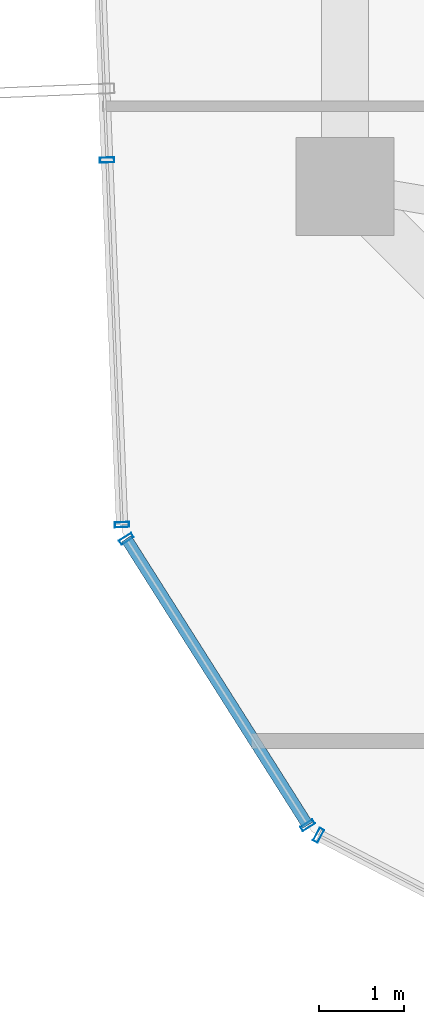
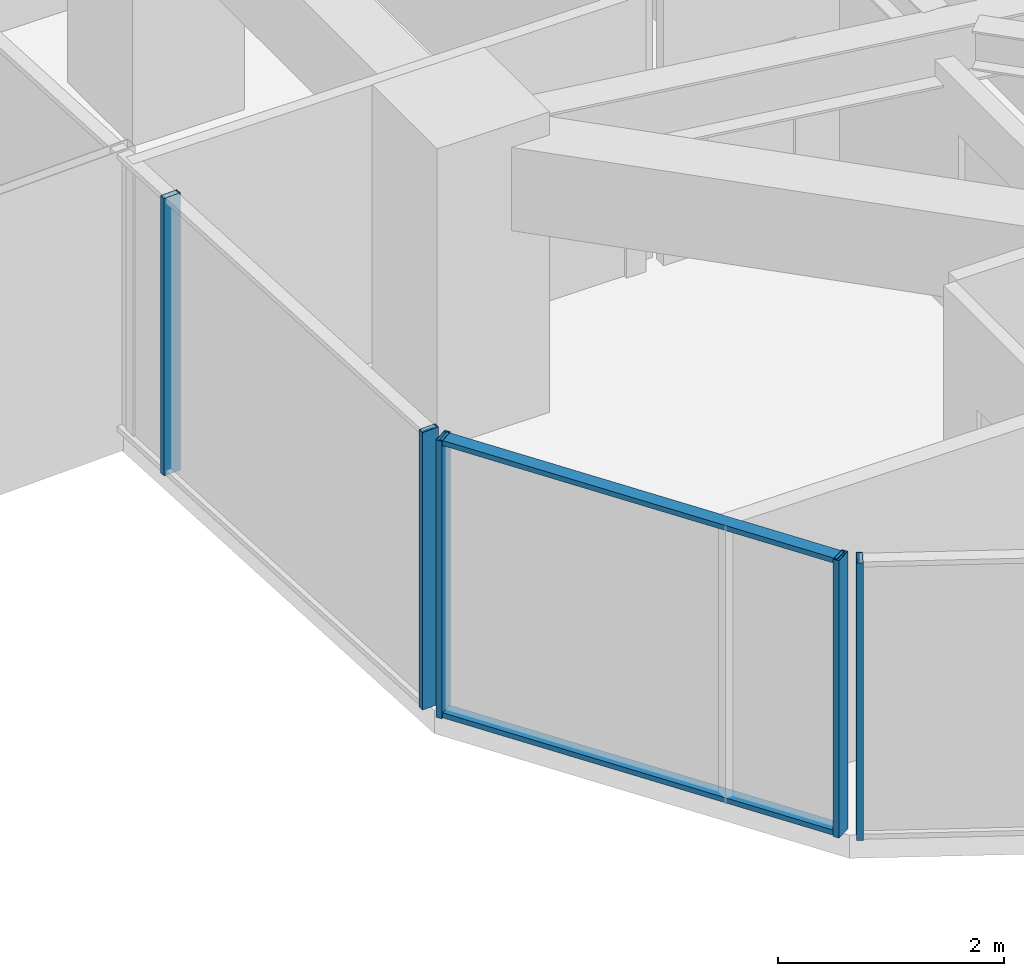
# One storey, part 4 of 32: 7 members, 3 elements without a shape of their own.
"""IFC4 building model written with IfcOpenShell, lengths in metres."""

from ifc_helpers import new_model, si_unit, direction, frame, origin, origin_2d, place, context, subcontext, project, spatial, hollow_rectangle, extrude, source, transform, mapped, material, layer, layer_set, material_profile, profile_set, type_object, element, aggregate, save


model = new_model("IFC4")

# Units and contexts
model_context = context("Model", 3, precision=1e-05, world=origin(), true_north=direction((0.0, 1.0)))
body_context = subcontext(model_context, "Body", "Model", "MODEL_VIEW")
ifc_project = project(units=[si_unit("LENGTHUNIT", "METRE"), si_unit("AREAUNIT", "SQUARE_METRE"), si_unit("VOLUMEUNIT", "CUBIC_METRE"), si_unit("PLANEANGLEUNIT", "RADIAN"), si_unit("MASSUNIT", "GRAM", prefix="KILO")], contexts=[model_context])

# Site, building, storey
site_placement = place(None, origin())
site = spatial("IfcSite", under=ifc_project, at=site_placement, CompositionType="ELEMENT")
building_placement = place(site_placement, origin())
building = spatial("IfcBuilding", under=site, at=building_placement, Name="Veraguas Prism Commons", CompositionType="ELEMENT")
storey_placement = place(building_placement, frame((0.0, 0.0, 136.0)))
storey = spatial("IfcBuildingStorey", under=building, at=storey_placement, Name="L38", CompositionType="ELEMENT", Elevation=136.0)

# Curtain wall, members
ifc_material = material(Name="Anodised aluminium EN AW-6063 T6", Category="aluminium")
ifc_layer = layer(ifc_material, 0.169921875, Name="Unitised Flush Curtain Wall Zone 2", Category="aluminium")
ifc_layer_set = layer_set([ifc_layer], Name="Anodised aluminium EN AW-6063 T6")
curtain_wall_type = type_object("IfcCurtainWallType", Name="Unitised Flush Curtain Wall Zone 2", PredefinedType="NOTDEFINED", material=ifc_layer_set)
curtain_wall_1_placement = place(storey_placement, origin())
curtain_wall_1 = element("IfcCurtainWall", 1, at=curtain_wall_1_placement, inside=storey, type_object=curtain_wall_type, Name="Tower Facade Curtain Wall L38-F3", PredefinedType="NOTDEFINED")
ifc_material_profile_1 = material_profile(ifc_material, hollow_rectangle(XDim=0.06005859375, YDim=0.169921875, WallThickness=0.00390625, at=origin_2d()), Name="AL60X170X4")
ifc_profile_set_1 = profile_set([ifc_material_profile_1], Name="Anodised aluminium EN AW-6063 T6")
member_type_1 = type_object("IfcMemberType", Name="Curtain Wall Mullion Lower AL 60x170x4", PredefinedType="MULLION", material=ifc_profile_set_1)
shared_shape_1 = source(origin(), body_context, "Body", "SweptSolid", [
    extrude(hollow_rectangle(XDim=0.06005859375, YDim=0.169921875, WallThickness=0.00390625, at=origin_2d()), origin(), (0.0, 0.0, 1.0), 3.0),
])
member_1_placement = place(storey_placement, frame((5.009521484375, 18.91162109375, 0.0), z_axis=(0.0, 0.0, 1.0), x_axis=(0.040836327473, -0.999165849276, 0.0)))
member_1 = element("IfcMember", 2, at=member_1_placement, type_object=member_type_1, Name="CW-Z2 Mullion 4", PredefinedType="MULLION", context=body_context, shape_type="MappedRepresentation", body=[
    mapped(shared_shape_1, transform((0.0, 0.0, 0.0), scale=1.0)),
])
member_2_placement = place(storey_placement, frame((5.18408203125, 14.63671875, 0.0), z_axis=(0.0, 0.0, 1.0), x_axis=(0.040836327473, -0.999165849276, 0.0)))
member_2 = element("IfcMember", 3, at=member_2_placement, type_object=member_type_1, Name="CW-Z2 Mullion 5", PredefinedType="MULLION", context=body_context, shape_type="MappedRepresentation", body=[
    mapped(shared_shape_1, transform((0.0, 0.0, 0.0), scale=1.0)),
])
aggregate(curtain_wall_1, [member_1, member_2])

# Curtain wall, member
curtain_wall_2_placement = place(storey_placement, origin())
curtain_wall_2 = element("IfcCurtainWall", 4, at=curtain_wall_2_placement, inside=storey, type_object=curtain_wall_type, Name="Tower Facade Curtain Wall L38-F4", PredefinedType="NOTDEFINED")
member_3_placement = place(storey_placement, frame((7.4892578125, 10.99609375, 0.0), z_axis=(0.0, 0.0, 1.0), x_axis=(0.885721982014, -0.464216081773, 0.0)))
member_3 = element("IfcMember", 5, at=member_3_placement, type_object=member_type_1, Name="CW-Z2 Mullion 1", PredefinedType="MULLION", context=body_context, shape_type="MappedRepresentation", body=[
    mapped(shared_shape_1, transform((0.0, 0.0, 0.0), scale=1.0)),
])
aggregate(curtain_wall_2, [member_3])

# Curtain wall, members
curtain_wall_3_placement = place(storey_placement, origin())
curtain_wall_3 = element("IfcCurtainWall", 6, at=curtain_wall_3_placement, inside=storey, type_object=curtain_wall_type, Name="Chamfer Curtain Wall L38-C4", PredefinedType="NOTDEFINED")
member_4_placement = place(storey_placement, frame((5.23583984375, 14.470703125, 0.0), z_axis=(0.0, 0.0, 1.0), x_axis=(0.534948221627, -0.84488484433, 0.0)))
member_4 = element("IfcMember", 7, at=member_4_placement, type_object=member_type_1, Name="CW-Z2 Mullion 1", PredefinedType="MULLION", context=body_context, shape_type="MappedRepresentation", body=[
    mapped(shared_shape_1, transform((0.0, 0.0, 0.0), scale=1.0)),
])
member_5_placement = place(storey_placement, frame((7.361328125, 11.114013671875, 0.0), z_axis=(0.0, 0.0, 1.0), x_axis=(0.534948221627, -0.84488484433, 0.0)))
member_5 = element("IfcMember", 8, at=member_5_placement, type_object=member_type_1, Name="CW-Z2 Mullion 2", PredefinedType="MULLION", context=body_context, shape_type="MappedRepresentation", body=[
    mapped(shared_shape_1, transform((0.0, 0.0, 0.0), scale=1.0)),
])
ifc_material_profile_2 = material_profile(ifc_material, hollow_rectangle(XDim=0.054931640625, YDim=0.135009765625, WallThickness=0.0029296875, at=origin_2d()), Name="AL55X135X3")
ifc_profile_set_2 = profile_set([ifc_material_profile_2], Name="Anodised aluminium EN AW-6063 T6")
member_type_2 = type_object("IfcMemberType", Name="Curtain Wall Transom Standard AL 55x135x3", PredefinedType="USERDEFINED", material=ifc_profile_set_2)
shared_shape_2 = source(origin(), body_context, "Body", "SweptSolid", [
    extrude(hollow_rectangle(XDim=0.054931640625, YDim=0.135009765625, WallThickness=0.0029296875, at=origin_2d()), origin(), (0.0, 0.0, 1.0), 3.97314453125),
])
member_6_placement = place(storey_placement, frame((5.23583984375, 14.470703125, 0.027587890625), z_axis=(0.534977521278, -0.844866292218, 0.0), x_axis=(0.0, 0.0, 1.0)))
member_6 = element("IfcMember", 9, at=member_6_placement, type_object=member_type_2, Name="CW-Z2 Transom 1", ObjectType="TRANSOM", PredefinedType="USERDEFINED", context=body_context, shape_type="MappedRepresentation", body=[
    mapped(shared_shape_2, transform((0.0, 0.0, 0.0), scale=1.0)),
])
member_7_placement = place(storey_placement, frame((5.23583984375, 14.470703125, 2.972412109375), z_axis=(0.534977521278, -0.844866292218, 0.0), x_axis=(0.0, 0.0, 1.0)))
member_7 = element("IfcMember", 10, at=member_7_placement, type_object=member_type_2, Name="CW-Z2 Transom 2", ObjectType="TRANSOM", PredefinedType="USERDEFINED", context=body_context, shape_type="MappedRepresentation", body=[
    mapped(shared_shape_2, transform((0.0, 0.0, 0.0), scale=1.0)),
])
aggregate(curtain_wall_3, [member_4, member_5, member_6, member_7])

save(model, "model.ifc")
